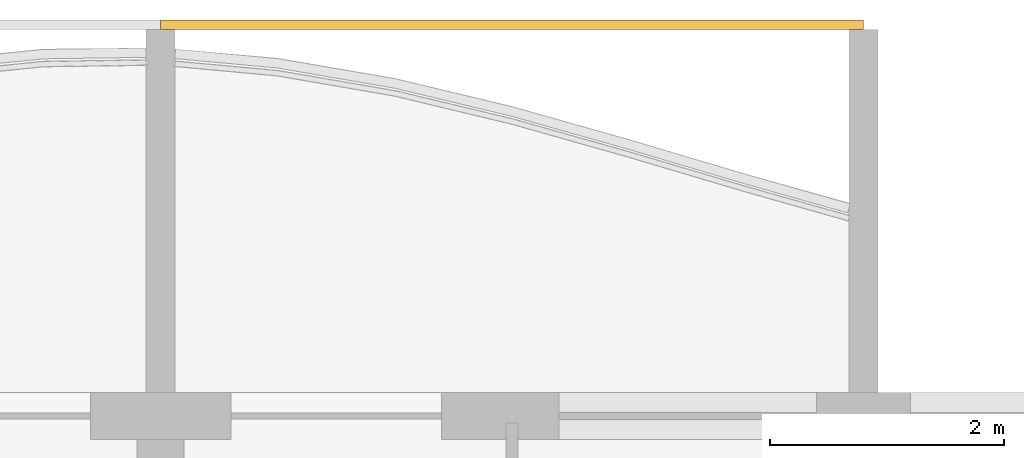
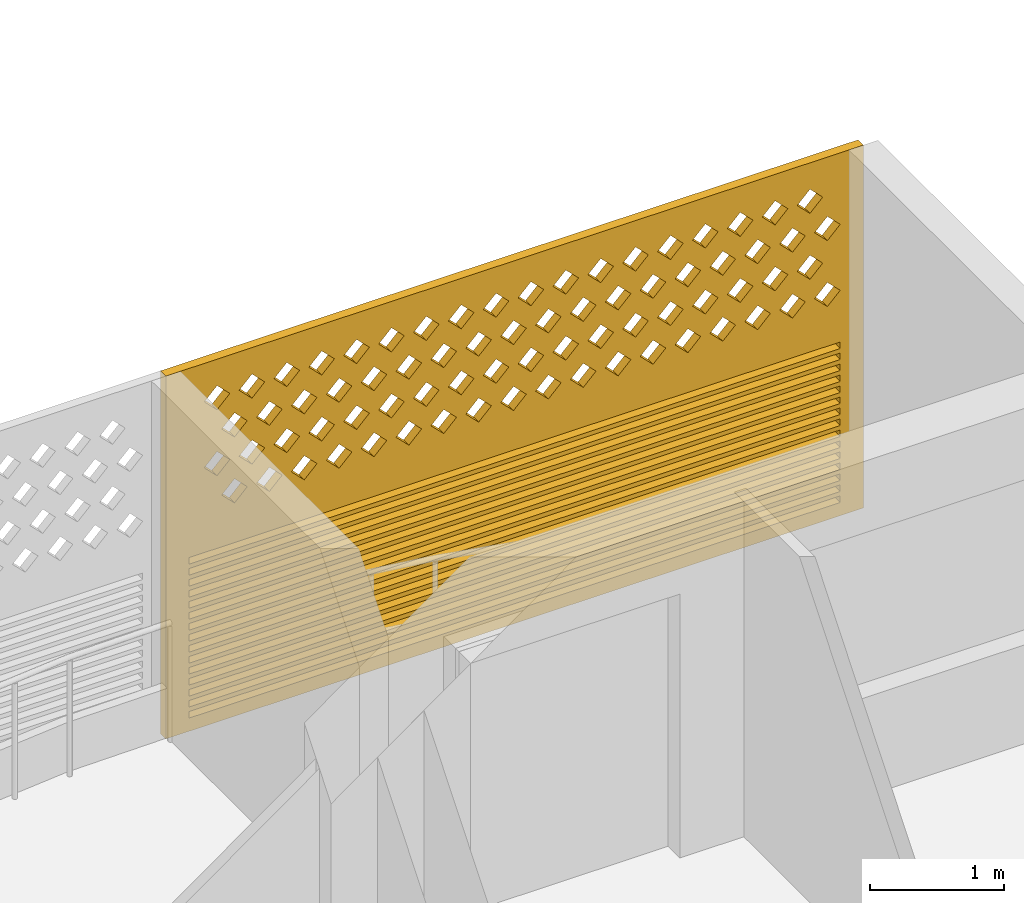
# One storey, part 37 of 44: 1 covering.
"""IFC4 building model written with IfcOpenShell, lengths in metres."""

from ifc_helpers import new_model, si_unit, direction, frame, origin, place, context, subcontext, project, spatial, polyline, outline, extrude, source, transform, mapped, material, material_profile, profile_set, type_object, element, save


model = new_model("IFC4")

# Units and contexts
model_context = context("Model", 3, precision=1e-05, world=origin(), true_north=direction((0.0, 1.0)))
body_context = subcontext(model_context, "Body", "Model", "MODEL_VIEW")
ifc_project = project(units=[si_unit("LENGTHUNIT", "METRE"), si_unit("AREAUNIT", "SQUARE_METRE"), si_unit("VOLUMEUNIT", "CUBIC_METRE"), si_unit("PLANEANGLEUNIT", "RADIAN"), si_unit("MASSUNIT", "GRAM", prefix="KILO")], contexts=[model_context])

# Site, building, storey
site_placement = place(None, origin())
site = spatial("IfcSite", under=ifc_project, at=site_placement, CompositionType="ELEMENT")
building_placement = place(site_placement, origin())
building = spatial("IfcBuilding", under=site, at=building_placement, Name="Poui Terraces", CompositionType="ELEMENT")
storey_placement = place(building_placement, frame((0.0, 0.0, 26.699951171875)))
storey = spatial("IfcBuildingStorey", under=building, at=storey_placement, Name="L06", CompositionType="ELEMENT", Elevation=26.699951171875)

# Covering
ifc_material = material(Name="Terracotta screen", Category="masonry")
ifc_material_profile = material_profile(ifc_material, outline(polyline([(-3.0, -1.64990234375), (3.0, -1.64990234375), (3.0, 1.64990234375), (-3.0, 1.64990234375), (-3.0, -1.64990234375)]), holes=[polyline([(-2.800048828125, 0.39990234375), (-2.68994140625, 0.2900390625), (-2.580078125, 0.39990234375), (-2.68994140625, 0.510009765625), (-2.800048828125, 0.39990234375)]), polyline([(-2.5, 0.39990234375), (-2.389892578125, 0.2900390625), (-2.280029296875, 0.39990234375), (-2.389892578125, 0.510009765625), (-2.5, 0.39990234375)]), polyline([(-2.199951171875, 0.39990234375), (-2.090087890625, 0.2900390625), (-1.97998046875, 0.39990234375), (-2.090087890625, 0.510009765625), (-2.199951171875, 0.39990234375)]), polyline([(-1.89990234375, 0.39990234375), (-1.7900390625, 0.2900390625), (-1.679931640625, 0.39990234375), (-1.7900390625, 0.510009765625), (-1.89990234375, 0.39990234375)]), polyline([(-1.60009765625, 0.39990234375), (-1.489990234375, 0.2900390625), (-1.3798828125, 0.39990234375), (-1.489990234375, 0.510009765625), (-1.60009765625, 0.39990234375)]), polyline([(-1.300048828125, 0.39990234375), (-1.18994140625, 0.2900390625), (-1.080078125, 0.39990234375), (-1.18994140625, 0.510009765625), (-1.300048828125, 0.39990234375)]), polyline([(-1.0, 0.39990234375), (-0.889892578125, 0.2900390625), (-0.780029296875, 0.39990234375), (-0.889892578125, 0.510009765625), (-1.0, 0.39990234375)]), polyline([(-0.699951171875, 0.39990234375), (-0.590087890625, 0.2900390625), (-0.47998046875, 0.39990234375), (-0.590087890625, 0.510009765625), (-0.699951171875, 0.39990234375)]), polyline([(-0.39990234375, 0.39990234375), (-0.2900390625, 0.2900390625), (-0.179931640625, 0.39990234375), (-0.2900390625, 0.510009765625), (-0.39990234375, 0.39990234375)]), polyline([(-0.10009765625, 0.39990234375), (0.010009765625, 0.2900390625), (0.1201171875, 0.39990234375), (0.010009765625, 0.510009765625), (-0.10009765625, 0.39990234375)]), polyline([(0.199951171875, 0.39990234375), (0.31005859375, 0.2900390625), (0.419921875, 0.39990234375), (0.31005859375, 0.510009765625), (0.199951171875, 0.39990234375)]), polyline([(0.5, 0.39990234375), (0.610107421875, 0.2900390625), (0.719970703125, 0.39990234375), (0.610107421875, 0.510009765625), (0.5, 0.39990234375)]), polyline([(0.800048828125, 0.39990234375), (0.909912109375, 0.2900390625), (1.02001953125, 0.39990234375), (0.909912109375, 0.510009765625), (0.800048828125, 0.39990234375)]), polyline([(1.10009765625, 0.39990234375), (1.2099609375, 0.2900390625), (1.320068359375, 0.39990234375), (1.2099609375, 0.510009765625), (1.10009765625, 0.39990234375)]), polyline([(1.39990234375, 0.39990234375), (1.510009765625, 0.2900390625), (1.6201171875, 0.39990234375), (1.510009765625, 0.510009765625), (1.39990234375, 0.39990234375)]), polyline([(1.699951171875, 0.39990234375), (1.81005859375, 0.2900390625), (1.919921875, 0.39990234375), (1.81005859375, 0.510009765625), (1.699951171875, 0.39990234375)]), polyline([(2.0, 0.39990234375), (2.110107421875, 0.2900390625), (2.219970703125, 0.39990234375), (2.110107421875, 0.510009765625), (2.0, 0.39990234375)]), polyline([(2.300048828125, 0.39990234375), (2.409912109375, 0.2900390625), (2.52001953125, 0.39990234375), (2.409912109375, 0.510009765625), (2.300048828125, 0.39990234375)]), polyline([(-2.64990234375, 0.699951171875), (-2.5400390625, 0.590087890625), (-2.429931640625, 0.699951171875), (-2.5400390625, 0.81005859375), (-2.64990234375, 0.699951171875)]), polyline([(-2.35009765625, 0.699951171875), (-2.239990234375, 0.590087890625), (-2.1298828125, 0.699951171875), (-2.239990234375, 0.81005859375), (-2.35009765625, 0.699951171875)]), polyline([(-2.050048828125, 0.699951171875), (-1.93994140625, 0.590087890625), (-1.830078125, 0.699951171875), (-1.93994140625, 0.81005859375), (-2.050048828125, 0.699951171875)]), polyline([(-1.75, 0.699951171875), (-1.639892578125, 0.590087890625), (-1.530029296875, 0.699951171875), (-1.639892578125, 0.81005859375), (-1.75, 0.699951171875)]), polyline([(-1.449951171875, 0.699951171875), (-1.340087890625, 0.590087890625), (-1.22998046875, 0.699951171875), (-1.340087890625, 0.81005859375), (-1.449951171875, 0.699951171875)]), polyline([(-1.14990234375, 0.699951171875), (-1.0400390625, 0.590087890625), (-0.929931640625, 0.699951171875), (-1.0400390625, 0.81005859375), (-1.14990234375, 0.699951171875)]), polyline([(-0.85009765625, 0.699951171875), (-0.739990234375, 0.590087890625), (-0.6298828125, 0.699951171875), (-0.739990234375, 0.81005859375), (-0.85009765625, 0.699951171875)]), polyline([(-0.550048828125, 0.699951171875), (-0.43994140625, 0.590087890625), (-0.330078125, 0.699951171875), (-0.43994140625, 0.81005859375), (-0.550048828125, 0.699951171875)]), polyline([(-0.25, 0.699951171875), (-0.139892578125, 0.590087890625), (-0.030029296875, 0.699951171875), (-0.139892578125, 0.81005859375), (-0.25, 0.699951171875)]), polyline([(0.050048828125, 0.699951171875), (0.159912109375, 0.590087890625), (0.27001953125, 0.699951171875), (0.159912109375, 0.81005859375), (0.050048828125, 0.699951171875)]), polyline([(0.35009765625, 0.699951171875), (0.4599609375, 0.590087890625), (0.570068359375, 0.699951171875), (0.4599609375, 0.81005859375), (0.35009765625, 0.699951171875)]), polyline([(0.64990234375, 0.699951171875), (0.760009765625, 0.590087890625), (0.8701171875, 0.699951171875), (0.760009765625, 0.81005859375), (0.64990234375, 0.699951171875)]), polyline([(0.949951171875, 0.699951171875), (1.06005859375, 0.590087890625), (1.169921875, 0.699951171875), (1.06005859375, 0.81005859375), (0.949951171875, 0.699951171875)]), polyline([(1.25, 0.699951171875), (1.360107421875, 0.590087890625), (1.469970703125, 0.699951171875), (1.360107421875, 0.81005859375), (1.25, 0.699951171875)]), polyline([(1.550048828125, 0.699951171875), (1.659912109375, 0.590087890625), (1.77001953125, 0.699951171875), (1.659912109375, 0.81005859375), (1.550048828125, 0.699951171875)]), polyline([(1.85009765625, 0.699951171875), (1.9599609375, 0.590087890625), (2.070068359375, 0.699951171875), (1.9599609375, 0.81005859375), (1.85009765625, 0.699951171875)]), polyline([(2.14990234375, 0.699951171875), (2.260009765625, 0.590087890625), (2.3701171875, 0.699951171875), (2.260009765625, 0.81005859375), (2.14990234375, 0.699951171875)]), polyline([(2.449951171875, 0.699951171875), (2.56005859375, 0.590087890625), (2.669921875, 0.699951171875), (2.56005859375, 0.81005859375), (2.449951171875, 0.699951171875)]), polyline([(-2.800048828125, 1.0), (-2.68994140625, 0.889892578125), (-2.580078125, 1.0), (-2.68994140625, 1.110107421875), (-2.800048828125, 1.0)]), polyline([(-2.5, 1.0), (-2.389892578125, 0.889892578125), (-2.280029296875, 1.0), (-2.389892578125, 1.110107421875), (-2.5, 1.0)]), polyline([(-2.199951171875, 1.0), (-2.090087890625, 0.889892578125), (-1.97998046875, 1.0), (-2.090087890625, 1.110107421875), (-2.199951171875, 1.0)]), polyline([(-1.89990234375, 1.0), (-1.7900390625, 0.889892578125), (-1.679931640625, 1.0), (-1.7900390625, 1.110107421875), (-1.89990234375, 1.0)]), polyline([(-1.60009765625, 1.0), (-1.489990234375, 0.889892578125), (-1.3798828125, 1.0), (-1.489990234375, 1.110107421875), (-1.60009765625, 1.0)]), polyline([(-1.300048828125, 1.0), (-1.18994140625, 0.889892578125), (-1.080078125, 1.0), (-1.18994140625, 1.110107421875), (-1.300048828125, 1.0)]), polyline([(-1.0, 1.0), (-0.889892578125, 0.889892578125), (-0.780029296875, 1.0), (-0.889892578125, 1.110107421875), (-1.0, 1.0)]), polyline([(-0.699951171875, 1.0), (-0.590087890625, 0.889892578125), (-0.47998046875, 1.0), (-0.590087890625, 1.110107421875), (-0.699951171875, 1.0)]), polyline([(-0.39990234375, 1.0), (-0.2900390625, 0.889892578125), (-0.179931640625, 1.0), (-0.2900390625, 1.110107421875), (-0.39990234375, 1.0)]), polyline([(-0.10009765625, 1.0), (0.010009765625, 0.889892578125), (0.1201171875, 1.0), (0.010009765625, 1.110107421875), (-0.10009765625, 1.0)]), polyline([(0.199951171875, 1.0), (0.31005859375, 0.889892578125), (0.419921875, 1.0), (0.31005859375, 1.110107421875), (0.199951171875, 1.0)]), polyline([(0.5, 1.0), (0.610107421875, 0.889892578125), (0.719970703125, 1.0), (0.610107421875, 1.110107421875), (0.5, 1.0)]), polyline([(0.800048828125, 1.0), (0.909912109375, 0.889892578125), (1.02001953125, 1.0), (0.909912109375, 1.110107421875), (0.800048828125, 1.0)]), polyline([(1.10009765625, 1.0), (1.2099609375, 0.889892578125), (1.320068359375, 1.0), (1.2099609375, 1.110107421875), (1.10009765625, 1.0)]), polyline([(1.39990234375, 1.0), (1.510009765625, 0.889892578125), (1.6201171875, 1.0), (1.510009765625, 1.110107421875), (1.39990234375, 1.0)]), polyline([(1.699951171875, 1.0), (1.81005859375, 0.889892578125), (1.919921875, 1.0), (1.81005859375, 1.110107421875), (1.699951171875, 1.0)]), polyline([(2.0, 1.0), (2.110107421875, 0.889892578125), (2.219970703125, 1.0), (2.110107421875, 1.110107421875), (2.0, 1.0)]), polyline([(2.300048828125, 1.0), (2.409912109375, 0.889892578125), (2.52001953125, 1.0), (2.409912109375, 1.110107421875), (2.300048828125, 1.0)]), polyline([(-2.64990234375, 1.300048828125), (-2.5400390625, 1.18994140625), (-2.429931640625, 1.300048828125), (-2.5400390625, 1.409912109375), (-2.64990234375, 1.300048828125)]), polyline([(-2.35009765625, 1.300048828125), (-2.239990234375, 1.18994140625), (-2.1298828125, 1.300048828125), (-2.239990234375, 1.409912109375), (-2.35009765625, 1.300048828125)]), polyline([(-2.050048828125, 1.300048828125), (-1.93994140625, 1.18994140625), (-1.830078125, 1.300048828125), (-1.93994140625, 1.409912109375), (-2.050048828125, 1.300048828125)]), polyline([(-1.75, 1.300048828125), (-1.639892578125, 1.18994140625), (-1.530029296875, 1.300048828125), (-1.639892578125, 1.409912109375), (-1.75, 1.300048828125)]), polyline([(-1.449951171875, 1.300048828125), (-1.340087890625, 1.18994140625), (-1.22998046875, 1.300048828125), (-1.340087890625, 1.409912109375), (-1.449951171875, 1.300048828125)]), polyline([(-1.14990234375, 1.300048828125), (-1.0400390625, 1.18994140625), (-0.929931640625, 1.300048828125), (-1.0400390625, 1.409912109375), (-1.14990234375, 1.300048828125)]), polyline([(-0.85009765625, 1.300048828125), (-0.739990234375, 1.18994140625), (-0.6298828125, 1.300048828125), (-0.739990234375, 1.409912109375), (-0.85009765625, 1.300048828125)]), polyline([(-0.550048828125, 1.300048828125), (-0.43994140625, 1.18994140625), (-0.330078125, 1.300048828125), (-0.43994140625, 1.409912109375), (-0.550048828125, 1.300048828125)]), polyline([(-0.25, 1.300048828125), (-0.139892578125, 1.18994140625), (-0.030029296875, 1.300048828125), (-0.139892578125, 1.409912109375), (-0.25, 1.300048828125)]), polyline([(0.050048828125, 1.300048828125), (0.159912109375, 1.18994140625), (0.27001953125, 1.300048828125), (0.159912109375, 1.409912109375), (0.050048828125, 1.300048828125)]), polyline([(0.35009765625, 1.300048828125), (0.4599609375, 1.18994140625), (0.570068359375, 1.300048828125), (0.4599609375, 1.409912109375), (0.35009765625, 1.300048828125)]), polyline([(0.64990234375, 1.300048828125), (0.760009765625, 1.18994140625), (0.8701171875, 1.300048828125), (0.760009765625, 1.409912109375), (0.64990234375, 1.300048828125)]), polyline([(0.949951171875, 1.300048828125), (1.06005859375, 1.18994140625), (1.169921875, 1.300048828125), (1.06005859375, 1.409912109375), (0.949951171875, 1.300048828125)]), polyline([(1.25, 1.300048828125), (1.360107421875, 1.18994140625), (1.469970703125, 1.300048828125), (1.360107421875, 1.409912109375), (1.25, 1.300048828125)]), polyline([(1.550048828125, 1.300048828125), (1.659912109375, 1.18994140625), (1.77001953125, 1.300048828125), (1.659912109375, 1.409912109375), (1.550048828125, 1.300048828125)]), polyline([(1.85009765625, 1.300048828125), (1.9599609375, 1.18994140625), (2.070068359375, 1.300048828125), (1.9599609375, 1.409912109375), (1.85009765625, 1.300048828125)]), polyline([(2.14990234375, 1.300048828125), (2.260009765625, 1.18994140625), (2.3701171875, 1.300048828125), (2.260009765625, 1.409912109375), (2.14990234375, 1.300048828125)]), polyline([(2.449951171875, 1.300048828125), (2.56005859375, 1.18994140625), (2.669921875, 1.300048828125), (2.56005859375, 1.409912109375), (2.449951171875, 1.300048828125)]), polyline([(-2.800048828125, -1.530029296875), (2.800048828125, -1.530029296875), (2.800048828125, -1.469970703125), (-2.800048828125, -1.469970703125), (-2.800048828125, -1.530029296875)]), polyline([(-2.800048828125, -1.429931640625), (2.800048828125, -1.429931640625), (2.800048828125, -1.3701171875), (-2.800048828125, -1.3701171875), (-2.800048828125, -1.429931640625)]), polyline([(-2.800048828125, -1.330078125), (2.800048828125, -1.330078125), (2.800048828125, -1.27001953125), (-2.800048828125, -1.27001953125), (-2.800048828125, -1.330078125)]), polyline([(-2.800048828125, -1.22998046875), (2.800048828125, -1.22998046875), (2.800048828125, -1.169921875), (-2.800048828125, -1.169921875), (-2.800048828125, -1.22998046875)]), polyline([(-2.800048828125, -1.1298828125), (2.800048828125, -1.1298828125), (2.800048828125, -1.070068359375), (-2.800048828125, -1.070068359375), (-2.800048828125, -1.1298828125)]), polyline([(-2.800048828125, -1.030029296875), (2.800048828125, -1.030029296875), (2.800048828125, -0.969970703125), (-2.800048828125, -0.969970703125), (-2.800048828125, -1.030029296875)]), polyline([(-2.800048828125, -0.929931640625), (2.800048828125, -0.929931640625), (2.800048828125, -0.8701171875), (-2.800048828125, -0.8701171875), (-2.800048828125, -0.929931640625)]), polyline([(-2.800048828125, -0.830078125), (2.800048828125, -0.830078125), (2.800048828125, -0.77001953125), (-2.800048828125, -0.77001953125), (-2.800048828125, -0.830078125)]), polyline([(-2.800048828125, -0.72998046875), (2.800048828125, -0.72998046875), (2.800048828125, -0.669921875), (-2.800048828125, -0.669921875), (-2.800048828125, -0.72998046875)]), polyline([(-2.800048828125, -0.6298828125), (2.800048828125, -0.6298828125), (2.800048828125, -0.570068359375), (-2.800048828125, -0.570068359375), (-2.800048828125, -0.6298828125)]), polyline([(-2.800048828125, -0.530029296875), (2.800048828125, -0.530029296875), (2.800048828125, -0.469970703125), (-2.800048828125, -0.469970703125), (-2.800048828125, -0.530029296875)]), polyline([(-2.800048828125, -0.429931640625), (2.800048828125, -0.429931640625), (2.800048828125, -0.3701171875), (-2.800048828125, -0.3701171875), (-2.800048828125, -0.429931640625)]), polyline([(-2.800048828125, -0.330078125), (2.800048828125, -0.330078125), (2.800048828125, -0.27001953125), (-2.800048828125, -0.27001953125), (-2.800048828125, -0.330078125)]), polyline([(-2.800048828125, -0.22998046875), (2.800048828125, -0.22998046875), (2.800048828125, -0.169921875), (-2.800048828125, -0.169921875), (-2.800048828125, -0.22998046875)]), polyline([(-2.800048828125, -0.1298828125), (2.800048828125, -0.1298828125), (2.800048828125, -0.070068359375), (-2.800048828125, -0.070068359375), (-2.800048828125, -0.1298828125)])]), Name="TERRACOTTA SCREEN AND JALOUSIE LOUVRE 6000X3300")
ifc_profile_set = profile_set([ifc_material_profile], Name="Terracotta screen")
covering_type = type_object("IfcCoveringType", Name="TERRACOTTA SCREEN AND JALOUSIE LOUVRE 6000X3300", PredefinedType="CLADDING", material=ifc_profile_set)
shared_shape = source(origin(), body_context, "Body", "SweptSolid", [
    extrude(outline(polyline([(-3.0, -1.64990234375), (3.0, -1.64990234375), (3.0, 1.64990234375), (-3.0, 1.64990234375), (-3.0, -1.64990234375)]), holes=[polyline([(-2.800048828125, 0.39990234375), (-2.68994140625, 0.2900390625), (-2.580078125, 0.39990234375), (-2.68994140625, 0.510009765625), (-2.800048828125, 0.39990234375)]), polyline([(-2.5, 0.39990234375), (-2.389892578125, 0.2900390625), (-2.280029296875, 0.39990234375), (-2.389892578125, 0.510009765625), (-2.5, 0.39990234375)]), polyline([(-2.199951171875, 0.39990234375), (-2.090087890625, 0.2900390625), (-1.97998046875, 0.39990234375), (-2.090087890625, 0.510009765625), (-2.199951171875, 0.39990234375)]), polyline([(-1.89990234375, 0.39990234375), (-1.7900390625, 0.2900390625), (-1.679931640625, 0.39990234375), (-1.7900390625, 0.510009765625), (-1.89990234375, 0.39990234375)]), polyline([(-1.60009765625, 0.39990234375), (-1.489990234375, 0.2900390625), (-1.3798828125, 0.39990234375), (-1.489990234375, 0.510009765625), (-1.60009765625, 0.39990234375)]), polyline([(-1.300048828125, 0.39990234375), (-1.18994140625, 0.2900390625), (-1.080078125, 0.39990234375), (-1.18994140625, 0.510009765625), (-1.300048828125, 0.39990234375)]), polyline([(-1.0, 0.39990234375), (-0.889892578125, 0.2900390625), (-0.780029296875, 0.39990234375), (-0.889892578125, 0.510009765625), (-1.0, 0.39990234375)]), polyline([(-0.699951171875, 0.39990234375), (-0.590087890625, 0.2900390625), (-0.47998046875, 0.39990234375), (-0.590087890625, 0.510009765625), (-0.699951171875, 0.39990234375)]), polyline([(-0.39990234375, 0.39990234375), (-0.2900390625, 0.2900390625), (-0.179931640625, 0.39990234375), (-0.2900390625, 0.510009765625), (-0.39990234375, 0.39990234375)]), polyline([(-0.10009765625, 0.39990234375), (0.010009765625, 0.2900390625), (0.1201171875, 0.39990234375), (0.010009765625, 0.510009765625), (-0.10009765625, 0.39990234375)]), polyline([(0.199951171875, 0.39990234375), (0.31005859375, 0.2900390625), (0.419921875, 0.39990234375), (0.31005859375, 0.510009765625), (0.199951171875, 0.39990234375)]), polyline([(0.5, 0.39990234375), (0.610107421875, 0.2900390625), (0.719970703125, 0.39990234375), (0.610107421875, 0.510009765625), (0.5, 0.39990234375)]), polyline([(0.800048828125, 0.39990234375), (0.909912109375, 0.2900390625), (1.02001953125, 0.39990234375), (0.909912109375, 0.510009765625), (0.800048828125, 0.39990234375)]), polyline([(1.10009765625, 0.39990234375), (1.2099609375, 0.2900390625), (1.320068359375, 0.39990234375), (1.2099609375, 0.510009765625), (1.10009765625, 0.39990234375)]), polyline([(1.39990234375, 0.39990234375), (1.510009765625, 0.2900390625), (1.6201171875, 0.39990234375), (1.510009765625, 0.510009765625), (1.39990234375, 0.39990234375)]), polyline([(1.699951171875, 0.39990234375), (1.81005859375, 0.2900390625), (1.919921875, 0.39990234375), (1.81005859375, 0.510009765625), (1.699951171875, 0.39990234375)]), polyline([(2.0, 0.39990234375), (2.110107421875, 0.2900390625), (2.219970703125, 0.39990234375), (2.110107421875, 0.510009765625), (2.0, 0.39990234375)]), polyline([(2.300048828125, 0.39990234375), (2.409912109375, 0.2900390625), (2.52001953125, 0.39990234375), (2.409912109375, 0.510009765625), (2.300048828125, 0.39990234375)]), polyline([(-2.64990234375, 0.699951171875), (-2.5400390625, 0.590087890625), (-2.429931640625, 0.699951171875), (-2.5400390625, 0.81005859375), (-2.64990234375, 0.699951171875)]), polyline([(-2.35009765625, 0.699951171875), (-2.239990234375, 0.590087890625), (-2.1298828125, 0.699951171875), (-2.239990234375, 0.81005859375), (-2.35009765625, 0.699951171875)]), polyline([(-2.050048828125, 0.699951171875), (-1.93994140625, 0.590087890625), (-1.830078125, 0.699951171875), (-1.93994140625, 0.81005859375), (-2.050048828125, 0.699951171875)]), polyline([(-1.75, 0.699951171875), (-1.639892578125, 0.590087890625), (-1.530029296875, 0.699951171875), (-1.639892578125, 0.81005859375), (-1.75, 0.699951171875)]), polyline([(-1.449951171875, 0.699951171875), (-1.340087890625, 0.590087890625), (-1.22998046875, 0.699951171875), (-1.340087890625, 0.81005859375), (-1.449951171875, 0.699951171875)]), polyline([(-1.14990234375, 0.699951171875), (-1.0400390625, 0.590087890625), (-0.929931640625, 0.699951171875), (-1.0400390625, 0.81005859375), (-1.14990234375, 0.699951171875)]), polyline([(-0.85009765625, 0.699951171875), (-0.739990234375, 0.590087890625), (-0.6298828125, 0.699951171875), (-0.739990234375, 0.81005859375), (-0.85009765625, 0.699951171875)]), polyline([(-0.550048828125, 0.699951171875), (-0.43994140625, 0.590087890625), (-0.330078125, 0.699951171875), (-0.43994140625, 0.81005859375), (-0.550048828125, 0.699951171875)]), polyline([(-0.25, 0.699951171875), (-0.139892578125, 0.590087890625), (-0.030029296875, 0.699951171875), (-0.139892578125, 0.81005859375), (-0.25, 0.699951171875)]), polyline([(0.050048828125, 0.699951171875), (0.159912109375, 0.590087890625), (0.27001953125, 0.699951171875), (0.159912109375, 0.81005859375), (0.050048828125, 0.699951171875)]), polyline([(0.35009765625, 0.699951171875), (0.4599609375, 0.590087890625), (0.570068359375, 0.699951171875), (0.4599609375, 0.81005859375), (0.35009765625, 0.699951171875)]), polyline([(0.64990234375, 0.699951171875), (0.760009765625, 0.590087890625), (0.8701171875, 0.699951171875), (0.760009765625, 0.81005859375), (0.64990234375, 0.699951171875)]), polyline([(0.949951171875, 0.699951171875), (1.06005859375, 0.590087890625), (1.169921875, 0.699951171875), (1.06005859375, 0.81005859375), (0.949951171875, 0.699951171875)]), polyline([(1.25, 0.699951171875), (1.360107421875, 0.590087890625), (1.469970703125, 0.699951171875), (1.360107421875, 0.81005859375), (1.25, 0.699951171875)]), polyline([(1.550048828125, 0.699951171875), (1.659912109375, 0.590087890625), (1.77001953125, 0.699951171875), (1.659912109375, 0.81005859375), (1.550048828125, 0.699951171875)]), polyline([(1.85009765625, 0.699951171875), (1.9599609375, 0.590087890625), (2.070068359375, 0.699951171875), (1.9599609375, 0.81005859375), (1.85009765625, 0.699951171875)]), polyline([(2.14990234375, 0.699951171875), (2.260009765625, 0.590087890625), (2.3701171875, 0.699951171875), (2.260009765625, 0.81005859375), (2.14990234375, 0.699951171875)]), polyline([(2.449951171875, 0.699951171875), (2.56005859375, 0.590087890625), (2.669921875, 0.699951171875), (2.56005859375, 0.81005859375), (2.449951171875, 0.699951171875)]), polyline([(-2.800048828125, 1.0), (-2.68994140625, 0.889892578125), (-2.580078125, 1.0), (-2.68994140625, 1.110107421875), (-2.800048828125, 1.0)]), polyline([(-2.5, 1.0), (-2.389892578125, 0.889892578125), (-2.280029296875, 1.0), (-2.389892578125, 1.110107421875), (-2.5, 1.0)]), polyline([(-2.199951171875, 1.0), (-2.090087890625, 0.889892578125), (-1.97998046875, 1.0), (-2.090087890625, 1.110107421875), (-2.199951171875, 1.0)]), polyline([(-1.89990234375, 1.0), (-1.7900390625, 0.889892578125), (-1.679931640625, 1.0), (-1.7900390625, 1.110107421875), (-1.89990234375, 1.0)]), polyline([(-1.60009765625, 1.0), (-1.489990234375, 0.889892578125), (-1.3798828125, 1.0), (-1.489990234375, 1.110107421875), (-1.60009765625, 1.0)]), polyline([(-1.300048828125, 1.0), (-1.18994140625, 0.889892578125), (-1.080078125, 1.0), (-1.18994140625, 1.110107421875), (-1.300048828125, 1.0)]), polyline([(-1.0, 1.0), (-0.889892578125, 0.889892578125), (-0.780029296875, 1.0), (-0.889892578125, 1.110107421875), (-1.0, 1.0)]), polyline([(-0.699951171875, 1.0), (-0.590087890625, 0.889892578125), (-0.47998046875, 1.0), (-0.590087890625, 1.110107421875), (-0.699951171875, 1.0)]), polyline([(-0.39990234375, 1.0), (-0.2900390625, 0.889892578125), (-0.179931640625, 1.0), (-0.2900390625, 1.110107421875), (-0.39990234375, 1.0)]), polyline([(-0.10009765625, 1.0), (0.010009765625, 0.889892578125), (0.1201171875, 1.0), (0.010009765625, 1.110107421875), (-0.10009765625, 1.0)]), polyline([(0.199951171875, 1.0), (0.31005859375, 0.889892578125), (0.419921875, 1.0), (0.31005859375, 1.110107421875), (0.199951171875, 1.0)]), polyline([(0.5, 1.0), (0.610107421875, 0.889892578125), (0.719970703125, 1.0), (0.610107421875, 1.110107421875), (0.5, 1.0)]), polyline([(0.800048828125, 1.0), (0.909912109375, 0.889892578125), (1.02001953125, 1.0), (0.909912109375, 1.110107421875), (0.800048828125, 1.0)]), polyline([(1.10009765625, 1.0), (1.2099609375, 0.889892578125), (1.320068359375, 1.0), (1.2099609375, 1.110107421875), (1.10009765625, 1.0)]), polyline([(1.39990234375, 1.0), (1.510009765625, 0.889892578125), (1.6201171875, 1.0), (1.510009765625, 1.110107421875), (1.39990234375, 1.0)]), polyline([(1.699951171875, 1.0), (1.81005859375, 0.889892578125), (1.919921875, 1.0), (1.81005859375, 1.110107421875), (1.699951171875, 1.0)]), polyline([(2.0, 1.0), (2.110107421875, 0.889892578125), (2.219970703125, 1.0), (2.110107421875, 1.110107421875), (2.0, 1.0)]), polyline([(2.300048828125, 1.0), (2.409912109375, 0.889892578125), (2.52001953125, 1.0), (2.409912109375, 1.110107421875), (2.300048828125, 1.0)]), polyline([(-2.64990234375, 1.300048828125), (-2.5400390625, 1.18994140625), (-2.429931640625, 1.300048828125), (-2.5400390625, 1.409912109375), (-2.64990234375, 1.300048828125)]), polyline([(-2.35009765625, 1.300048828125), (-2.239990234375, 1.18994140625), (-2.1298828125, 1.300048828125), (-2.239990234375, 1.409912109375), (-2.35009765625, 1.300048828125)]), polyline([(-2.050048828125, 1.300048828125), (-1.93994140625, 1.18994140625), (-1.830078125, 1.300048828125), (-1.93994140625, 1.409912109375), (-2.050048828125, 1.300048828125)]), polyline([(-1.75, 1.300048828125), (-1.639892578125, 1.18994140625), (-1.530029296875, 1.300048828125), (-1.639892578125, 1.409912109375), (-1.75, 1.300048828125)]), polyline([(-1.449951171875, 1.300048828125), (-1.340087890625, 1.18994140625), (-1.22998046875, 1.300048828125), (-1.340087890625, 1.409912109375), (-1.449951171875, 1.300048828125)]), polyline([(-1.14990234375, 1.300048828125), (-1.0400390625, 1.18994140625), (-0.929931640625, 1.300048828125), (-1.0400390625, 1.409912109375), (-1.14990234375, 1.300048828125)]), polyline([(-0.85009765625, 1.300048828125), (-0.739990234375, 1.18994140625), (-0.6298828125, 1.300048828125), (-0.739990234375, 1.409912109375), (-0.85009765625, 1.300048828125)]), polyline([(-0.550048828125, 1.300048828125), (-0.43994140625, 1.18994140625), (-0.330078125, 1.300048828125), (-0.43994140625, 1.409912109375), (-0.550048828125, 1.300048828125)]), polyline([(-0.25, 1.300048828125), (-0.139892578125, 1.18994140625), (-0.030029296875, 1.300048828125), (-0.139892578125, 1.409912109375), (-0.25, 1.300048828125)]), polyline([(0.050048828125, 1.300048828125), (0.159912109375, 1.18994140625), (0.27001953125, 1.300048828125), (0.159912109375, 1.409912109375), (0.050048828125, 1.300048828125)]), polyline([(0.35009765625, 1.300048828125), (0.4599609375, 1.18994140625), (0.570068359375, 1.300048828125), (0.4599609375, 1.409912109375), (0.35009765625, 1.300048828125)]), polyline([(0.64990234375, 1.300048828125), (0.760009765625, 1.18994140625), (0.8701171875, 1.300048828125), (0.760009765625, 1.409912109375), (0.64990234375, 1.300048828125)]), polyline([(0.949951171875, 1.300048828125), (1.06005859375, 1.18994140625), (1.169921875, 1.300048828125), (1.06005859375, 1.409912109375), (0.949951171875, 1.300048828125)]), polyline([(1.25, 1.300048828125), (1.360107421875, 1.18994140625), (1.469970703125, 1.300048828125), (1.360107421875, 1.409912109375), (1.25, 1.300048828125)]), polyline([(1.550048828125, 1.300048828125), (1.659912109375, 1.18994140625), (1.77001953125, 1.300048828125), (1.659912109375, 1.409912109375), (1.550048828125, 1.300048828125)]), polyline([(1.85009765625, 1.300048828125), (1.9599609375, 1.18994140625), (2.070068359375, 1.300048828125), (1.9599609375, 1.409912109375), (1.85009765625, 1.300048828125)]), polyline([(2.14990234375, 1.300048828125), (2.260009765625, 1.18994140625), (2.3701171875, 1.300048828125), (2.260009765625, 1.409912109375), (2.14990234375, 1.300048828125)]), polyline([(2.449951171875, 1.300048828125), (2.56005859375, 1.18994140625), (2.669921875, 1.300048828125), (2.56005859375, 1.409912109375), (2.449951171875, 1.300048828125)]), polyline([(-2.800048828125, -1.530029296875), (2.800048828125, -1.530029296875), (2.800048828125, -1.469970703125), (-2.800048828125, -1.469970703125), (-2.800048828125, -1.530029296875)]), polyline([(-2.800048828125, -1.429931640625), (2.800048828125, -1.429931640625), (2.800048828125, -1.3701171875), (-2.800048828125, -1.3701171875), (-2.800048828125, -1.429931640625)]), polyline([(-2.800048828125, -1.330078125), (2.800048828125, -1.330078125), (2.800048828125, -1.27001953125), (-2.800048828125, -1.27001953125), (-2.800048828125, -1.330078125)]), polyline([(-2.800048828125, -1.22998046875), (2.800048828125, -1.22998046875), (2.800048828125, -1.169921875), (-2.800048828125, -1.169921875), (-2.800048828125, -1.22998046875)]), polyline([(-2.800048828125, -1.1298828125), (2.800048828125, -1.1298828125), (2.800048828125, -1.070068359375), (-2.800048828125, -1.070068359375), (-2.800048828125, -1.1298828125)]), polyline([(-2.800048828125, -1.030029296875), (2.800048828125, -1.030029296875), (2.800048828125, -0.969970703125), (-2.800048828125, -0.969970703125), (-2.800048828125, -1.030029296875)]), polyline([(-2.800048828125, -0.929931640625), (2.800048828125, -0.929931640625), (2.800048828125, -0.8701171875), (-2.800048828125, -0.8701171875), (-2.800048828125, -0.929931640625)]), polyline([(-2.800048828125, -0.830078125), (2.800048828125, -0.830078125), (2.800048828125, -0.77001953125), (-2.800048828125, -0.77001953125), (-2.800048828125, -0.830078125)]), polyline([(-2.800048828125, -0.72998046875), (2.800048828125, -0.72998046875), (2.800048828125, -0.669921875), (-2.800048828125, -0.669921875), (-2.800048828125, -0.72998046875)]), polyline([(-2.800048828125, -0.6298828125), (2.800048828125, -0.6298828125), (2.800048828125, -0.570068359375), (-2.800048828125, -0.570068359375), (-2.800048828125, -0.6298828125)]), polyline([(-2.800048828125, -0.530029296875), (2.800048828125, -0.530029296875), (2.800048828125, -0.469970703125), (-2.800048828125, -0.469970703125), (-2.800048828125, -0.530029296875)]), polyline([(-2.800048828125, -0.429931640625), (2.800048828125, -0.429931640625), (2.800048828125, -0.3701171875), (-2.800048828125, -0.3701171875), (-2.800048828125, -0.429931640625)]), polyline([(-2.800048828125, -0.330078125), (2.800048828125, -0.330078125), (2.800048828125, -0.27001953125), (-2.800048828125, -0.27001953125), (-2.800048828125, -0.330078125)]), polyline([(-2.800048828125, -0.22998046875), (2.800048828125, -0.22998046875), (2.800048828125, -0.169921875), (-2.800048828125, -0.169921875), (-2.800048828125, -0.22998046875)]), polyline([(-2.800048828125, -0.1298828125), (2.800048828125, -0.1298828125), (2.800048828125, -0.070068359375), (-2.800048828125, -0.070068359375), (-2.800048828125, -0.1298828125)])]), origin(), (0.0, 0.0, 1.0), 0.079833984375),
])
covering_placement = place(storey_placement, frame((63.0, 48.10009765625, 1.449951171875), z_axis=(0.0, 1.0, 0.0), x_axis=(-1.0, 0.0, 0.0)))
element("IfcCovering", 1, at=covering_placement, inside=storey, type_object=covering_type, Name="SOLAR SCREEN AND JALOUSIE LOUVRE", PredefinedType="CLADDING", context=body_context, shape_type="MappedRepresentation", body=[
    mapped(shared_shape, transform((0.0, 0.0, 0.0))),
])

save(model, "model.ifc")
